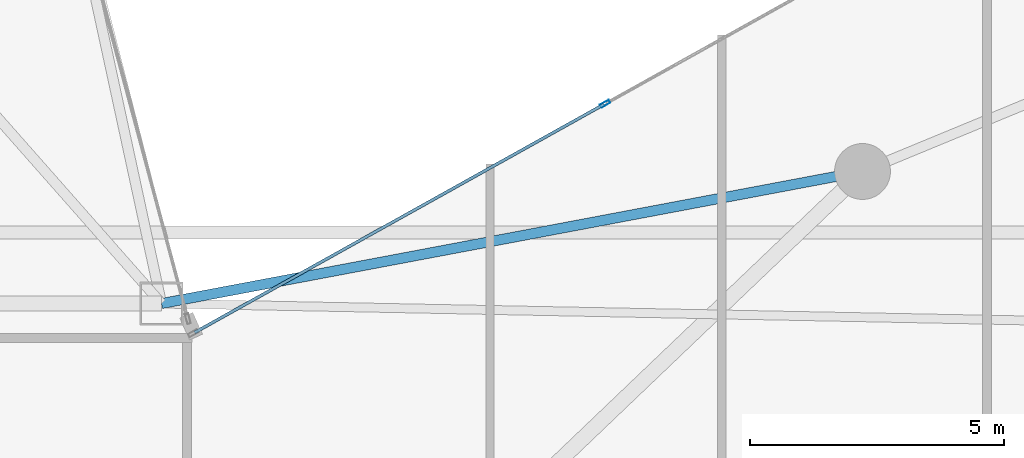
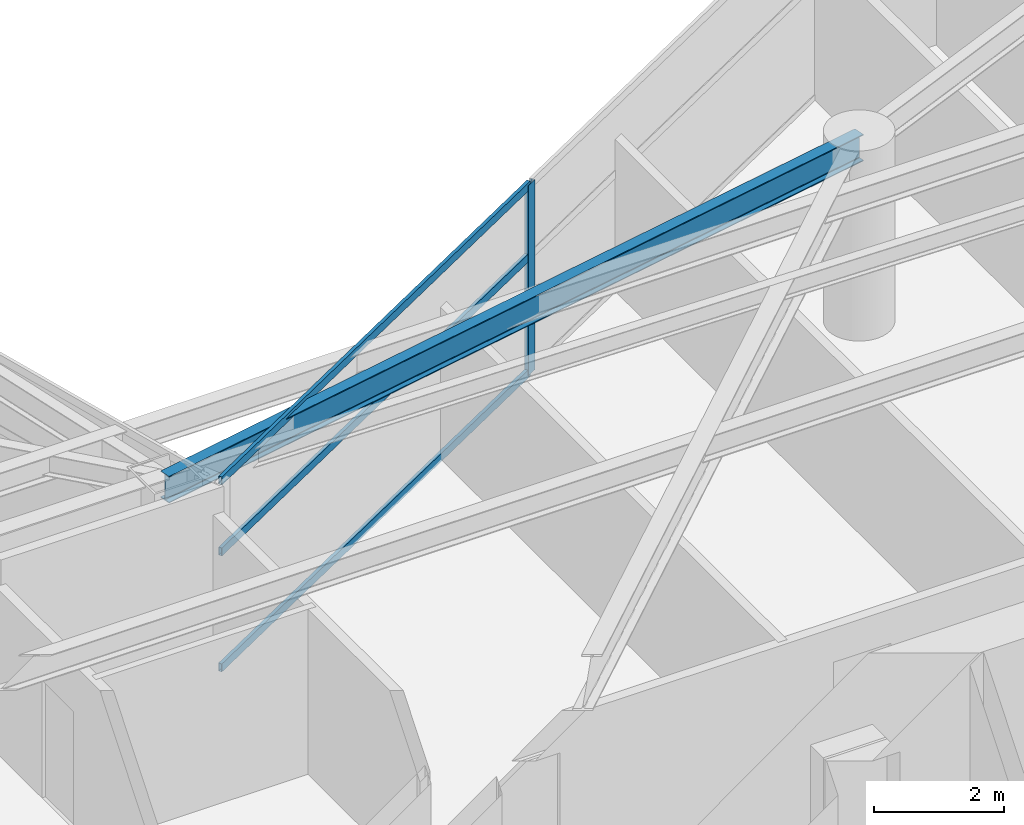
# One storey, part 11 of 28: 4 members, 1 beam, 1 element without a shape of its own.
"""IFC4 building model written with IfcOpenShell, lengths in metres."""

from ifc_helpers import new_model, si_unit, direction, frame, origin, origin_2d, place, context, subcontext, project, spatial, hollow_rectangle, i_section, extrude, material, layer, layer_set, material_profile, profile_set, type_object, element, aggregate, save


model = new_model("IFC4")

# Units and contexts
model_context = context("Model", 3, precision=1e-05, world=origin(), true_north=direction((0.0, 1.0)))
body_context = subcontext(model_context, "Body", "Model", "MODEL_VIEW")
ifc_project = project(units=[si_unit("LENGTHUNIT", "METRE"), si_unit("AREAUNIT", "SQUARE_METRE"), si_unit("VOLUMEUNIT", "CUBIC_METRE"), si_unit("PLANEANGLEUNIT", "RADIAN"), si_unit("MASSUNIT", "GRAM", prefix="KILO")], contexts=[model_context])

# Site, building, storey
site_placement = place(None, origin())
site = spatial("IfcSite", under=ifc_project, at=site_placement, CompositionType="ELEMENT")
building_placement = place(site_placement, origin())
building = spatial("IfcBuilding", under=site, at=building_placement, Name="Calvorn Quay Hotel", CompositionType="ELEMENT")
storey_placement = place(building_placement, frame((0.0, 0.0, 112.60009765625)))
storey = spatial("IfcBuildingStorey", under=building, at=storey_placement, Name="L27", CompositionType="ELEMENT", Elevation=112.60009765625)

# Beam
ifc_material_1 = material(Name="Steel Q355B", Category="steel")
ifc_material_profile_1 = material_profile(ifc_material_1, i_section(OverallWidth=0.199951171875, OverallDepth=0.5, WebThickness=0.010009765625, FlangeThickness=0.01611328125, FilletRadius=0.01611328125, at=origin_2d()), Name="HN500x200x10x16")
ifc_profile_set_1 = profile_set([ifc_material_profile_1], Name="Steel Q355B")
beam_type = type_object("IfcBeamType", Name="BM-SPANDREL-Z1", PredefinedType="SPANDREL", material=ifc_profile_set_1)
beam_placement = place(storey_placement, frame((34.800048828125, 27.60009765625, 3.289794921875), z_axis=(-0.982709432406, -0.185154452988, 0.0), x_axis=(0.185154452988, -0.982709432406, 0.0)))
element("IfcBeam", 1, at=beam_placement, inside=storey, type_object=beam_type, Name="Beam BSP-L27-E5", PredefinedType="SPANDREL", context=body_context, shape_type="SweptSolid", body=[
    extrude(i_section(OverallWidth=0.199951171875, OverallDepth=0.5, WebThickness=0.010009765625, FlangeThickness=0.01611328125, FilletRadius=0.01611328125, at=origin_2d()), origin(), (0.0, 0.0, 1.0), 14.04296875),
])

# Curtain wall, members
ifc_material_2 = material(Name="Pale Anodised Aluminium and Low-E Glass", Category="aluminium")
ifc_layer = layer(ifc_material_2, 0.219970703125)
ifc_layer_set = layer_set([ifc_layer], Name="CW-SYS-Z2")
curtain_wall_type = type_object("IfcCurtainWallType", Name="CW-SYS-Z2", PredefinedType="NOTDEFINED", material=ifc_layer_set)
curtain_wall_placement = place(storey_placement, origin())
curtain_wall = element("IfcCurtainWall", 2, at=curtain_wall_placement, inside=storey, type_object=curtain_wall_type, Name="Inner Court Curtain Wall L27-NE1", PredefinedType="NOTDEFINED")
ifc_material_3 = material(Name="Pale Anodised Aluminium 6063-T6", Category="aluminium")
ifc_material_profile_2 = material_profile(ifc_material_3, hollow_rectangle(XDim=0.070068359375, YDim=0.199951171875, WallThickness=0.00390625, at=origin_2d()), Name="ALU-M200x70x4")
ifc_profile_set_2 = profile_set([ifc_material_profile_2], Name="Pale Anodised Aluminium 6063-T6")
member_type_1 = type_object("IfcMemberType", Name="CW-SYS-Z2-MUL", PredefinedType="MULLION", material=ifc_profile_set_2)
member_1_placement = place(storey_placement, frame((29.7333984375, 28.933349609375, 0.0), z_axis=(0.0, 0.0, 1.0), x_axis=(0.486858256224, -0.873480989116, 0.0)))
member_1 = element("IfcMember", 3, at=member_1_placement, type_object=member_type_1, Name="CW-L27-NE1 mullion 3", PredefinedType="MULLION", context=body_context, shape_type="SweptSolid", body=[
    extrude(hollow_rectangle(XDim=0.070068359375, YDim=0.199951171875, WallThickness=0.00390625, at=origin_2d()), origin(), (0.0, 0.0, 1.0), 3.559814453125),
])
ifc_material_4 = material(Name="Pale Anodised Aluminium 6063-T6", Category="aluminium")
ifc_material_profile_3 = material_profile(ifc_material_4, hollow_rectangle(XDim=0.06005859375, YDim=0.14990234375, WallThickness=0.00341796875, at=origin_2d()), Name="ALU-T150x60x3.5")
ifc_profile_set_3 = profile_set([ifc_material_profile_3], Name="Pale Anodised Aluminium 6063-T6")
member_type_2 = type_object("IfcMemberType", Name="CW-SYS-Z2-TRN", PredefinedType="USERDEFINED", material=ifc_profile_set_3)
member_2_placement = place(storey_placement, frame((29.70703125, 28.918701171875, 0.02978515625), z_axis=(-0.87348080454, -0.486858587375, 0.0), x_axis=(0.486858587375, -0.87348080454, 0.0)))
member_2 = element("IfcMember", 4, at=member_2_placement, type_object=member_type_2, Name="CW-L27-NE1 transom 3.1", ObjectType="TRANSOM", PredefinedType="USERDEFINED", context=body_context, shape_type="SweptSolid", body=[
    extrude(hollow_rectangle(XDim=0.06005859375, YDim=0.14990234375, WallThickness=0.00341796875, at=origin_2d()), origin(), (0.0, 0.0, 1.0), 9.221435546875),
])
member_3_placement = place(storey_placement, frame((29.70703125, 28.918701171875, 2.199951171875), z_axis=(-0.87348080454, -0.486858587375, 0.0), x_axis=(0.486858587375, -0.87348080454, 0.0)))
member_3 = element("IfcMember", 5, at=member_3_placement, type_object=member_type_2, Name="CW-L27-NE1 transom 3.2", ObjectType="TRANSOM", PredefinedType="USERDEFINED", context=body_context, shape_type="SweptSolid", body=[
    extrude(hollow_rectangle(XDim=0.06005859375, YDim=0.14990234375, WallThickness=0.00341796875, at=origin_2d()), origin(), (0.0, 0.0, 1.0), 9.221435546875),
])
member_4_placement = place(storey_placement, frame((29.70703125, 28.918701171875, 3.52978515625), z_axis=(-0.87348080454, -0.486858587375, 0.0), x_axis=(0.486858587375, -0.87348080454, 0.0)))
member_4 = element("IfcMember", 6, at=member_4_placement, type_object=member_type_2, Name="CW-L27-NE1 transom 3.3", ObjectType="TRANSOM", PredefinedType="USERDEFINED", context=body_context, shape_type="SweptSolid", body=[
    extrude(hollow_rectangle(XDim=0.06005859375, YDim=0.14990234375, WallThickness=0.00341796875, at=origin_2d()), origin(), (0.0, 0.0, 1.0), 9.221435546875),
])
aggregate(curtain_wall, [member_1, member_2, member_3, member_4])

save(model, "model.ifc")
